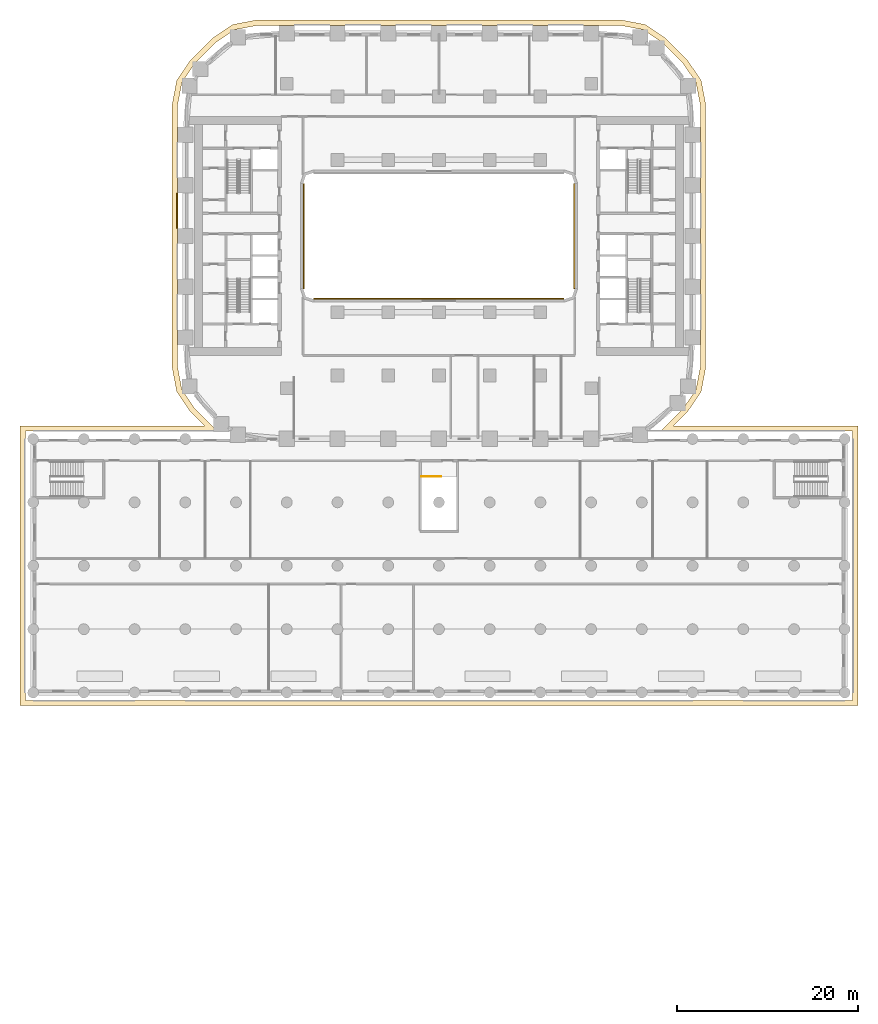
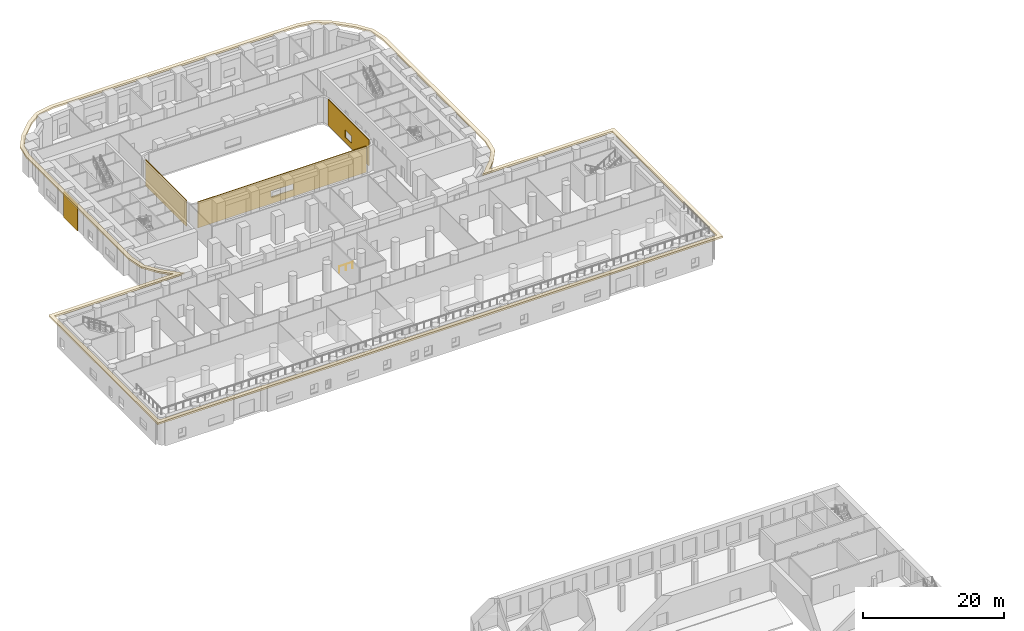
# One storey, part 20 of 24: 5 coverings, 1 railing.
"""IFC4 building model written with IfcOpenShell, lengths in metres."""

from ifc_helpers import new_model, si_unit, direction, frame, origin, origin_2d, place, context, subcontext, project, spatial, polyline, circle, outline, extrude, material, layer, layer_set, type_object, element, save


model = new_model("IFC4")

# Units and contexts
model_context = context("Model", 3, precision=1e-05, world=origin(), true_north=direction((0.0, 1.0)))
body_context = subcontext(model_context, "Body", "Model", "MODEL_VIEW")
ifc_project = project(units=[si_unit("LENGTHUNIT", "METRE"), si_unit("AREAUNIT", "SQUARE_METRE"), si_unit("VOLUMEUNIT", "CUBIC_METRE"), si_unit("PLANEANGLEUNIT", "RADIAN"), si_unit("MASSUNIT", "GRAM", prefix="KILO")], contexts=[model_context])

# Site, building, storey
site_placement = place(None, origin())
site = spatial("IfcSite", under=ifc_project, at=site_placement, CompositionType="ELEMENT")
building_placement = place(site_placement, origin())
building = spatial("IfcBuilding", under=site, at=building_placement, Name="Kiln Ring Residences", CompositionType="ELEMENT")
storey_placement = place(building_placement, frame((0.0, 0.0, 11.300048828125)))
storey = spatial("IfcBuildingStorey", under=building, at=storey_placement, Name="L02", CompositionType="ELEMENT", Elevation=11.300048828125)

# Railing
ifc_material_1 = material(Name="Stainless steel", Category="steel")
railing_type = type_object("IfcRailingType", Name="PODIUM-STAIR-GUARD", PredefinedType="GUARDRAIL", material=ifc_material_1)
railing_placement = place(storey_placement, frame((-1.949951171875, -26.550048828125, 0.0)))
element("IfcRailing", 1, at=railing_placement, inside=storey, type_object=railing_type, Name="L02 PS-C top well guard 1", PredefinedType="GUARDRAIL", context=body_context, shape_type="SweptSolid", body=[
    extrude(circle(Radius=0.02392578125, at=origin_2d()), frame((0.0, 0.0, 1.076171875), z_axis=(1.0, 0.0, 0.0), x_axis=(0.0, 1.0, 0.0)), (0.0, 0.0, 1.0), 2.199951171875),
    extrude(circle(Radius=0.02099609375, at=origin_2d()), origin(), (0.0, 0.0, 1.0), 1.052001953125),
    extrude(circle(Radius=0.02099609375, at=origin_2d()), frame((1.10009765625, 0.0, 0.0)), (0.0, 0.0, 1.0), 1.052001953125),
    extrude(circle(Radius=0.02099609375, at=origin_2d()), frame((2.199951171875, 0.0, 0.0)), (0.0, 0.0, 1.0), 1.052001953125),
])

# Coverings
ifc_material_2 = material(Name="Brick masonry, dark clay brick", Category="masonry")
ifc_layer_1 = layer(ifc_material_2, 0.1201171875)
ifc_layer_set_1 = layer_set([ifc_layer_1], Name="RAINSCREEN PANEL 120")
covering_type_1 = type_object("IfcCoveringType", Name="RAINSCREEN PANEL 120", PredefinedType="CLADDING", material=ifc_layer_set_1)
covering_1_placement = place(storey_placement, frame((-28.909912109375, 4.75, 0.0), z_axis=(0.0, 0.0, 1.0), x_axis=(0.0, -1.0, 0.0)))
element("IfcCovering", 2, at=covering_1_placement, inside=storey, type_object=covering_type_1, Name="RAINSCREEN L02", PredefinedType="CLADDING", context=body_context, shape_type="SweptSolid", body=[
    extrude(outline(polyline([(0.0, 0.0), (3.89990234375, 0.0), (3.89990234375, 4.5), (0.0, 4.5), (0.0, 0.0)])), frame((0.0, 0.06005859375, 0.0), z_axis=(0.0, -1.0, 0.0), x_axis=(1.0, 0.0, 0.0)), (0.0, 0.0, 1.0), 0.1201171875),
])
covering_2_placement = place(storey_placement, frame((-14.93994140625, -5.800048828125, 0.0), z_axis=(0.0, 0.0, 1.0), x_axis=(0.0, 1.0, 0.0)))
element("IfcCovering", 3, at=covering_2_placement, inside=storey, type_object=covering_type_1, Name="RAINSCREEN L02", PredefinedType="CLADDING", context=body_context, shape_type="SweptSolid", body=[
    extrude(outline(polyline([(0.0, 0.0), (11.60009765625, 0.0), (11.60009765625, 4.5), (0.0, 4.5), (0.0, 0.0)])), frame((0.0, 0.06005859375, 0.0), z_axis=(0.0, -1.0, 0.0), x_axis=(1.0, 0.0, 0.0)), (0.0, 0.0, 1.0), 0.1201171875),
])
covering_3_placement = place(storey_placement, frame((14.93994140625, 5.800048828125, 0.0), z_axis=(0.0, 0.0, 1.0), x_axis=(0.0, -1.0, 0.0)))
element("IfcCovering", 4, at=covering_3_placement, inside=storey, type_object=covering_type_1, Name="RAINSCREEN L02", PredefinedType="CLADDING", context=body_context, shape_type="SweptSolid", body=[
    extrude(outline(polyline([(0.0, 0.0), (11.60009765625, 0.0), (11.60009765625, 4.5), (0.0, 4.5), (0.0, 0.0)]), holes=[polyline([(4.89990234375, 2.14990234375), (4.89990234375, 0.89990234375), (6.699951171875, 0.89990234375), (6.699951171875, 2.14990234375), (4.89990234375, 2.14990234375)])]), frame((0.0, 0.06005859375, 0.0), z_axis=(0.0, -1.0, 0.0), x_axis=(1.0, 0.0, 0.0)), (0.0, 0.0, 1.0), 0.1201171875),
])
covering_4_placement = place(storey_placement, frame((13.800048828125, -6.93994140625, 0.0), z_axis=(0.0, 0.0, 1.0), x_axis=(-1.0, 0.0, 0.0)))
element("IfcCovering", 5, at=covering_4_placement, inside=storey, type_object=covering_type_1, Name="RAINSCREEN L02", PredefinedType="CLADDING", context=body_context, shape_type="SweptSolid", body=[
    extrude(outline(polyline([(0.0, 0.0), (27.60009765625, 0.0), (27.60009765625, 4.5), (0.0, 4.5), (0.0, 0.0)]), holes=[polyline([(11.97998046875, 2.169921875), (11.97998046875, 1.179931640625), (15.6201171875, 1.179931640625), (15.6201171875, 2.169921875), (11.97998046875, 2.169921875)])]), frame((0.0, 0.06005859375, 0.0), z_axis=(0.0, -1.0, 0.0), x_axis=(1.0, 0.0, 0.0)), (0.0, 0.0, 1.0), 0.1201171875),
])
ifc_material_3 = material(Name="Black powder-coated steel", Category="steel")
ifc_layer_2 = layer(ifc_material_3, 0.300048828125)
ifc_layer_set_2 = layer_set([ifc_layer_2], Name="SUNSHADE FIN 600")
covering_type_2 = type_object("IfcCoveringType", Name="SUNSHADE FIN 600", PredefinedType="CLADDING", material=ifc_layer_set_2)
covering_5_placement = place(storey_placement, frame((0.0, 0.0, 4.5)))
element("IfcCovering", 6, at=covering_5_placement, inside=storey, type_object=covering_type_2, Name="SUNSHADE FIN L02", PredefinedType="CLADDING", context=body_context, shape_type="SweptSolid", body=[
    extrude(outline(polyline([(-27.42529296875, -19.42529296875), (-25.900634765625, -20.949951171875), (-46.25, -20.949951171875), (-46.25, -51.85009765625), (46.25, -51.85009765625), (46.25, -20.949951171875), (25.900634765625, -20.949951171875), (27.42529296875, -19.42529296875), (28.94384765625, -17.19091796875), (29.449951171875, -14.537109375), (29.449951171875, 14.537109375), (28.94384765625, 17.19091796875), (27.42529296875, 19.42529296875), (25.025390625, 21.8251953125), (22.791015625, 23.34375), (20.13720703125, 23.85009765625), (-20.13720703125, 23.85009765625), (-22.791015625, 23.34375), (-25.025390625, 21.8251953125), (-27.42529296875, 19.42529296875), (-28.94384765625, 17.19091796875), (-29.449951171875, 14.537109375), (-29.449951171875, -14.537109375), (-28.94384765625, -17.19091796875), (-27.42529296875, -19.42529296875)]), holes=[polyline([(-45.64990234375, -21.550048828125), (-24.36279296875, -21.550048828125), (-24.641357421875, -21.36083984375), (-26.960693359375, -19.041259765625), (-28.377685546875, -16.956298828125), (-28.85009765625, -14.480224609375), (-28.85009765625, 14.480224609375), (-28.377685546875, 16.956298828125), (-26.960693359375, 19.041259765625), (-24.641357421875, 21.36083984375), (-22.556396484375, 22.777587890625), (-20.080322265625, 23.25), (20.080322265625, 23.25), (22.556396484375, 22.777587890625), (24.641357421875, 21.36083984375), (26.960693359375, 19.041259765625), (28.377685546875, 16.956298828125), (28.85009765625, 14.480224609375), (28.85009765625, -14.480224609375), (28.377685546875, -16.956298828125), (26.960693359375, -19.041259765625), (24.641357421875, -21.36083984375), (24.36279296875, -21.550048828125), (45.64990234375, -21.550048828125), (45.64990234375, -51.25), (-45.64990234375, -51.25), (-45.64990234375, -21.550048828125)])]), origin(), (0.0, 0.0, 1.0), 0.300048828125),
])

save(model, "model.ifc")
